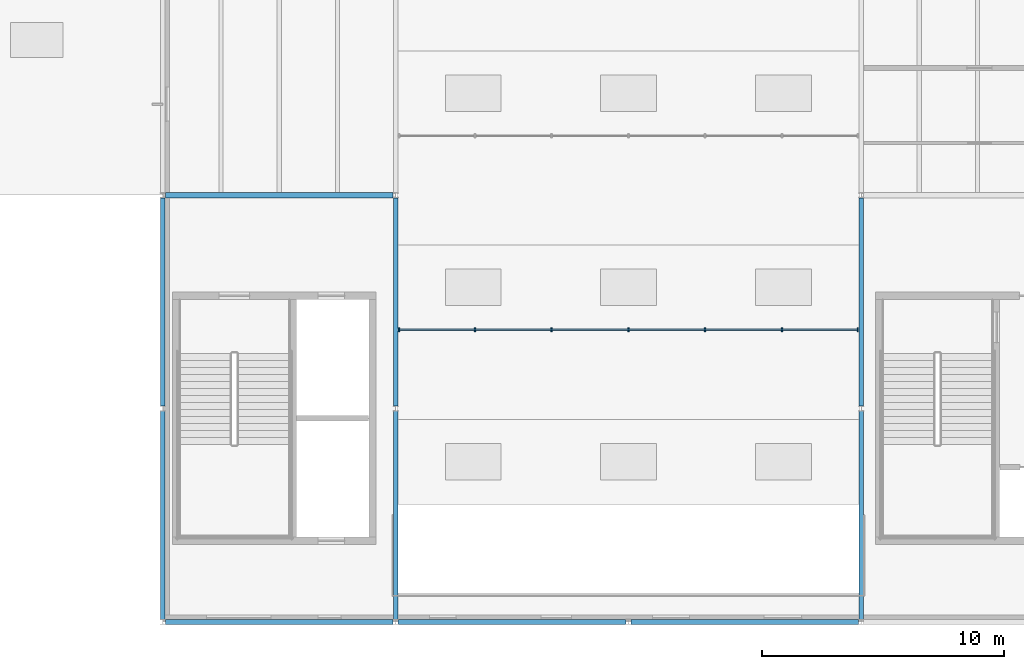
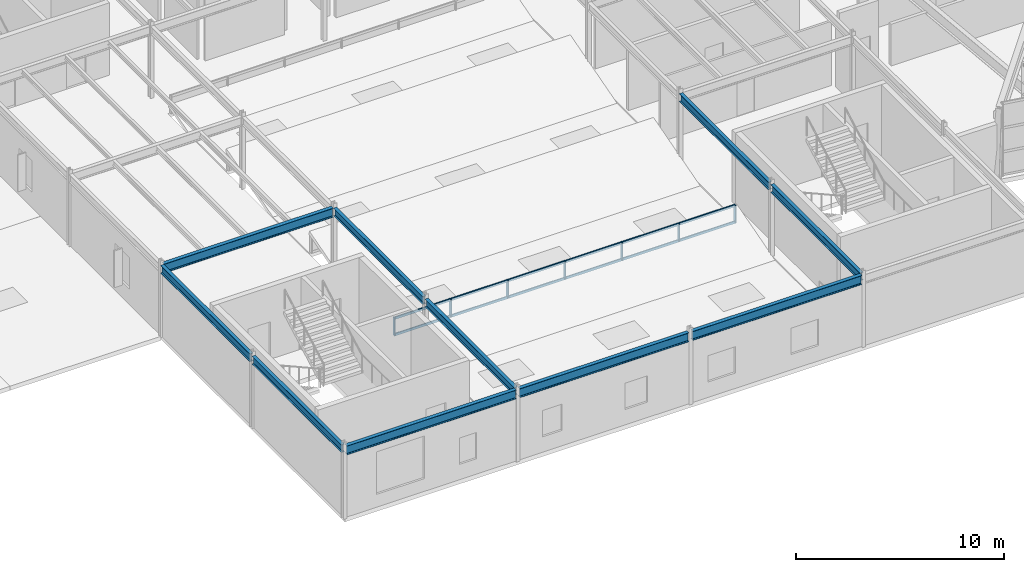
# One storey, part 10 of 50: 10 beams, 9 members, 1 element without a shape of its own.
"""IFC4 building model written with IfcOpenShell, lengths in metres."""

import ifcopenshell
import ifcopenshell.guid

model = None  # the IFC model being written
_history = None  # IfcOwnerHistory: only IFC2X3 demands one
_inside = {}  # id of a spatial element -> (the spatial element, [elements in it])
_under = {}  # id of a project, library or spatial element -> (it, [spatial elements below it])
_declared = {}  # id of a project -> (the project, [libraries it declares])
_typed = {}  # id of a type object -> (the type object, [elements of that type])
_made_of = {}  # id of a material, layer set ... -> (it, [elements and type objects made of it])


def new_model(schema):
    """Start an empty IFC model of exactly this schema.

    Asked for "IFC4X3", IfcOpenShell would pick the latest addendum, in which some entities
    have other attributes; the version numbers below select the first issue.
    IFC2X3 requires an IfcOwnerHistory on every rooted entity: one is made here for all.
    """
    global model, _history
    if schema == "IFC4X3":
        model = ifcopenshell.file(schema_version=(4, 3, 0, 0))
    else:
        model = ifcopenshell.file(schema=schema)
    _inside.clear()
    _under.clear()
    _declared.clear()
    _typed.clear()
    _made_of.clear()
    _history = None
    if model.schema == "IFC2X3":
        org = make("IfcOrganization", Name="unknown")
        user = make(
            "IfcPersonAndOrganization",
            ThePerson=make("IfcPerson", FamilyName="unknown"),
            TheOrganization=org,
        )
        app = make(
            "IfcApplication",
            ApplicationDeveloper=org,
            Version="unknown",
            ApplicationFullName="unknown",
            ApplicationIdentifier="unknown",
        )
        _history = make(
            "IfcOwnerHistory",
            OwningUser=user,
            OwningApplication=app,
            ChangeAction="ADDED",
            CreationDate=0,
        )
    return model


def make(cls, **values):
    """One entity of the class cls with the attributes given. An attribute that is None is left unset."""
    return model.create_entity(
        cls, **{name: value for name, value in values.items() if value is not None}
    )


def rooted(cls, **values):
    """An entity with a GlobalId (a new one), such as an element, a storey or a relation."""
    return make(cls, GlobalId=ifcopenshell.guid.new(), OwnerHistory=_history, **values)


def si_unit(unit_type, name, prefix=None):
    """IfcSIUnit, for example si_unit("LENGTHUNIT", "METRE", prefix="MILLI")."""
    return make("IfcSIUnit", UnitType=unit_type, Prefix=prefix, Name=name)


def assignment(units):
    """IfcUnitAssignment: the units of a project."""
    return None if units is None else make("IfcUnitAssignment", Units=units)


def point(xyz):
    """IfcCartesianPoint."""
    return None if xyz is None else make("IfcCartesianPoint", Coordinates=xyz)


def direction(xyz):
    """IfcDirection."""
    return None if xyz is None else make("IfcDirection", DirectionRatios=xyz)


def frame(location, z_axis=None, x_axis=None):
    """IfcAxis2Placement3D, a coordinate frame: its origin and axes. An axis left out is left unset."""
    return make(
        "IfcAxis2Placement3D",
        Location=point(location),
        Axis=direction(z_axis),
        RefDirection=direction(x_axis),
    )


def frame_2d(location, x_axis=None):
    """IfcAxis2Placement2D, a coordinate frame in the plane: its origin and x axis."""
    return make(
        "IfcAxis2Placement2D", Location=point(location), RefDirection=direction(x_axis)
    )


def origin():
    """The frame at (0, 0, 0) with its axes left unset."""
    return frame((0.0, 0.0, 0.0))


def origin_2d():
    """The frame at (0, 0) in the plane with its x axis left unset."""
    return frame_2d((0.0, 0.0))


def place(relative_to, where):
    """IfcLocalPlacement: puts the frame where relative to a parent placement (None: the world)."""
    return make(
        "IfcLocalPlacement", PlacementRelTo=relative_to, RelativePlacement=where
    )


def context(
    kind, dimensions, precision=None, world=None, true_north=None, identifier=None
):
    """IfcGeometricRepresentationContext, for example the 3D "Model" context."""
    return make(
        "IfcGeometricRepresentationContext",
        ContextIdentifier=identifier,
        ContextType=kind,
        CoordinateSpaceDimension=dimensions,
        Precision=precision,
        WorldCoordinateSystem=world,
        TrueNorth=true_north,
    )


def subcontext(parent, identifier, kind, view, scale=None):
    """IfcGeometricRepresentationSubContext, for example "Body" below "Model"."""
    return make(
        "IfcGeometricRepresentationSubContext",
        ContextIdentifier=identifier,
        ContextType=kind,
        ParentContext=parent,
        TargetScale=scale,
        TargetView=view,
    )


def project(units=None, contexts=None):
    """IfcProject with its units and contexts."""
    return rooted(
        "IfcProject",
        Name="project",
        RepresentationContexts=contexts,
        UnitsInContext=assignment(units),
    )


def spatial(cls, under=None, at=None, **own):
    """A site, building, storey or space (cls), placed at a placement, below another one or the project."""
    s = rooted(cls, ObjectPlacement=at, **own)
    if under is not None:
        _under.setdefault(under.id(), (under, []))[1].append(s)
    return s


def profile(cls, at=None, kind="AREA", **sizes):
    """A parametric profile (cls). Its sizes go by their IFC names, for example OverallWidth=200.0."""
    return make(cls, ProfileType=kind, Position=at, **sizes)


def rectangle(**sizes):
    """IfcRectangleProfileDef."""
    return profile("IfcRectangleProfileDef", **sizes)


def i_section(**sizes):
    """IfcIShapeProfileDef."""
    return profile("IfcIShapeProfileDef", **sizes)


def extrude(swept, where, along, depth):
    """IfcExtrudedAreaSolid: the profile swept, set in the frame where, extruded along a direction by depth."""
    return make(
        "IfcExtrudedAreaSolid",
        SweptArea=swept,
        Position=where,
        ExtrudedDirection=direction(along),
        Depth=depth,
    )


def shape(context_of_items, identifier, shape_type, items):
    """IfcShapeRepresentation: the items that make up one representation, for example the "Body"."""
    return make(
        "IfcShapeRepresentation",
        ContextOfItems=context_of_items,
        RepresentationIdentifier=identifier,
        RepresentationType=shape_type,
        Items=items,
    )


def material(Name=None, Category=None):
    """IfcMaterial."""
    return make("IfcMaterial", Name=Name, Category=Category)


def material_profile(
    of_material, cross_section, Name=None, Category=None, Priority=None
):
    """IfcMaterialProfile: a cross section and its material."""
    return make(
        "IfcMaterialProfile",
        Name=Name,
        Material=of_material,
        Profile=cross_section,
        Priority=Priority,
        Category=Category,
    )


def profile_set(profiles, Name=None, composite=None):
    """IfcMaterialProfileSet."""
    return make(
        "IfcMaterialProfileSet",
        Name=Name,
        MaterialProfiles=profiles,
        CompositeProfile=composite,
    )


def made_of(thing, what):
    """Note that an element or type object is made of a material, layer set ...; save() writes the relation."""
    if what is not None:
        _made_of.setdefault(what.id(), (what, []))[1].append(thing)
    return thing


def type_object(cls, material=None, **own):
    """A type object (cls), such as IfcWallType, which elements share."""
    return made_of(rooted(cls, **own), material)


def element(
    cls,
    number,
    at=None,
    inside=None,
    cuts=None,
    type_object=None,
    material=None,
    context=None,
    identifier="Body",
    shape_type=None,
    held_by="IfcProductDefinitionShape",
    body=None,
    shapes=None,
    **own,
):
    """One element of the class cls, such as IfcWall. Its Tag is "e" and its number.

    at: its placement. inside: the storey or other place that contains it. cuts: it is an
    opening in that element (IfcRelVoidsElement). A single representation is given by context,
    identifier, shape_type and body (its items); several are given by shapes. held_by: the class
    of the entity that holds the representations. save() writes the other relations.
    """
    e = rooted(cls, Tag="e%d" % number, ObjectPlacement=at, **own)
    if body is not None:
        shapes = [shape(context, identifier, shape_type, body)]
    if shapes is not None:
        e.Representation = make(held_by, Representations=shapes)
    if inside is not None:
        _inside.setdefault(inside.id(), (inside, []))[1].append(e)
    if cuts is not None:
        rooted(
            "IfcRelVoidsElement", RelatingBuildingElement=cuts, RelatedOpeningElement=e
        )
    if type_object is not None:
        _typed.setdefault(type_object.id(), (type_object, []))[1].append(e)
    return made_of(e, material)


def aggregate(whole, parts):
    """IfcRelAggregates: a whole, such as a stair, and the parts it consists of."""
    return rooted("IfcRelAggregates", RelatingObject=whole, RelatedObjects=parts)


def save(model, path):
    """Write the relations noted so far, then the file.

    IfcRelAggregates (storeys below a building ...), IfcRelContainedInSpatialStructure (elements
    in a storey), IfcRelDefinesByType, IfcRelAssociatesMaterial and IfcRelDeclares: one each for
    every whole, place, type object, material and project.
    """
    for whole, parts in _under.values():
        aggregate(whole, parts)
    for where, things in _inside.values():
        rooted(
            "IfcRelContainedInSpatialStructure",
            RelatedElements=things,
            RelatingStructure=where,
        )
    for kind, things in _typed.values():
        rooted("IfcRelDefinesByType", RelatedObjects=things, RelatingType=kind)
    for what, things in _made_of.values():
        rooted("IfcRelAssociatesMaterial", RelatedObjects=things, RelatingMaterial=what)
    for by, libraries in _declared.values():
        rooted("IfcRelDeclares", RelatingContext=by, RelatedDefinitions=libraries)
    model.write(path)


model = new_model("IFC4")

# Units and contexts
model_context = context("Model", 3, precision=1e-05, world=origin(), true_north=direction((0.0, 1.0)))
body_context = subcontext(model_context, "Body", "Model", "MODEL_VIEW")
ifc_project = project(units=[si_unit("LENGTHUNIT", "METRE"), si_unit("AREAUNIT", "SQUARE_METRE"), si_unit("VOLUMEUNIT", "CUBIC_METRE"), si_unit("PLANEANGLEUNIT", "RADIAN"), si_unit("MASSUNIT", "GRAM", prefix="KILO")], contexts=[model_context])

# Site, building, storey
site_placement = place(None, origin())
site = spatial("IfcSite", under=ifc_project, at=site_placement, CompositionType="ELEMENT")
building_placement = place(site_placement, origin())
building = spatial("IfcBuilding", under=site, at=building_placement, Name="Sarnbrook Museum", CompositionType="ELEMENT")
storey_placement = place(building_placement, frame((0.0, 0.0, 28.10009765625)))
storey = spatial("IfcBuildingStorey", under=building, at=storey_placement, Name="L05", CompositionType="ELEMENT", Elevation=28.10009765625)

# Beams
ifc_material_1 = material(Name="Structural Steel Grade 300PLUS (AS/NZS 3679.1, fy = 280 MPa for 17 < t <= 40 mm, 300 MPa for t <= 17 mm)", Category="steel")
ifc_material_profile_1 = material_profile(ifc_material_1, i_section(OverallWidth=0.18994140625, OverallDepth=0.45703125, WebThickness=0.009033203125, FlangeThickness=0.014404296875, FilletRadius=0.011474609375, at=origin_2d()), Name="460UB74.6")
ifc_profile_set_1 = profile_set([ifc_material_profile_1], Name="Structural Steel Grade 300PLUS (AS/NZS 3679.1, fy = 280 MPa for 17 < t <= 40 mm, 300 MPa for t <= 17 mm)")
beam_type_1 = type_object("IfcBeamType", Name="BM-UB460", PredefinedType="BEAM", material=ifc_profile_set_1)
beam_1_placement = place(storey_placement, frame((80.800048828125, 56.905029296875, 4.021484375), z_axis=(0.0, 1.0, 0.0), x_axis=(-1.0, 0.0, 0.0)))
element("IfcBeam", 1, at=beam_1_placement, inside=storey, type_object=beam_type_1, Name="Girder 9:G-H L05", PredefinedType="BEAM", context=body_context, shape_type="SweptSolid", body=[
    extrude(i_section(OverallWidth=0.18994140625, OverallDepth=0.45703125, WebThickness=0.009033203125, FlangeThickness=0.014404296875, FilletRadius=0.011474609375, at=origin_2d()), origin(), (0.0, 0.0, 1.0), 8.590087890625),
])
beam_2_placement = place(storey_placement, frame((80.800048828125, 65.705078125, 4.021484375), z_axis=(0.0, 1.0, 0.0), x_axis=(-1.0, 0.0, 0.0)))
element("IfcBeam", 2, at=beam_2_placement, inside=storey, type_object=beam_type_1, Name="Girder 9:H-J L05", PredefinedType="BEAM", context=body_context, shape_type="SweptSolid", body=[
    extrude(i_section(OverallWidth=0.18994140625, OverallDepth=0.45703125, WebThickness=0.009033203125, FlangeThickness=0.014404296875, FilletRadius=0.011474609375, at=origin_2d()), origin(), (0.0, 0.0, 1.0), 8.58984375),
])
beam_3_placement = place(storey_placement, frame((90.39990234375, 56.905029296875, 4.021484375), z_axis=(0.0, 1.0, 0.0), x_axis=(-1.0, 0.0, 0.0)))
element("IfcBeam", 3, at=beam_3_placement, inside=storey, type_object=beam_type_1, Name="Girder 10:G-H L05", PredefinedType="BEAM", context=body_context, shape_type="SweptSolid", body=[
    extrude(i_section(OverallWidth=0.18994140625, OverallDepth=0.45703125, WebThickness=0.009033203125, FlangeThickness=0.014404296875, FilletRadius=0.011474609375, at=origin_2d()), origin(), (0.0, 0.0, 1.0), 8.590087890625),
])
beam_4_placement = place(storey_placement, frame((90.39990234375, 65.705078125, 4.021484375), z_axis=(0.0, 1.0, 0.0), x_axis=(-1.0, 0.0, 0.0)))
element("IfcBeam", 4, at=beam_4_placement, inside=storey, type_object=beam_type_1, Name="Girder 10:H-J L05", PredefinedType="BEAM", context=body_context, shape_type="SweptSolid", body=[
    extrude(i_section(OverallWidth=0.18994140625, OverallDepth=0.45703125, WebThickness=0.009033203125, FlangeThickness=0.014404296875, FilletRadius=0.011474609375, at=origin_2d()), origin(), (0.0, 0.0, 1.0), 8.58984375),
])
beam_5_placement = place(storey_placement, frame((109.60009765625, 56.905029296875, 4.021484375), z_axis=(0.0, 1.0, 0.0), x_axis=(-1.0, 0.0, 0.0)))
element("IfcBeam", 5, at=beam_5_placement, inside=storey, type_object=beam_type_1, Name="Girder 12:G-H L05", PredefinedType="BEAM", context=body_context, shape_type="SweptSolid", body=[
    extrude(i_section(OverallWidth=0.18994140625, OverallDepth=0.45703125, WebThickness=0.009033203125, FlangeThickness=0.014404296875, FilletRadius=0.011474609375, at=origin_2d()), origin(), (0.0, 0.0, 1.0), 8.590087890625),
])
beam_6_placement = place(storey_placement, frame((109.60009765625, 65.705078125, 4.021484375), z_axis=(0.0, 1.0, 0.0), x_axis=(-1.0, 0.0, 0.0)))
element("IfcBeam", 6, at=beam_6_placement, inside=storey, type_object=beam_type_1, Name="Girder 12:H-J L05", PredefinedType="BEAM", context=body_context, shape_type="SweptSolid", body=[
    extrude(i_section(OverallWidth=0.18994140625, OverallDepth=0.45703125, WebThickness=0.009033203125, FlangeThickness=0.014404296875, FilletRadius=0.011474609375, at=origin_2d()), origin(), (0.0, 0.0, 1.0), 8.58984375),
])
ifc_material_profile_2 = material_profile(ifc_material_1, i_section(OverallWidth=0.208984375, OverallDepth=0.532958984375, WebThickness=0.01025390625, FlangeThickness=0.015625, FilletRadius=0.013916015625, at=origin_2d()), Name="530UB92.4")
ifc_profile_set_2 = profile_set([ifc_material_profile_2], Name="Structural Steel Grade 300PLUS (AS/NZS 3679.1, fy = 280 MPa for 17 < t <= 40 mm, 300 MPa for t <= 17 mm)")
beam_type_2 = type_object("IfcBeamType", Name="BM-UB530", PredefinedType="BEAM", material=ifc_profile_set_2)
for number, where, z_axis, x_axis, name in (
    (7, (80.902587890625, 56.800048828125, 3.9833984375), (1.0, 0.0, 0.0), (0.0, 1.0, 0.0), "Girder G:9-10 L05"),
    (8, (90.50244140625, 56.800048828125, 3.9833984375), (1.0, 0.0, 0.0), (0.0, 1.0, 0.0), "Girder G:10-11 L05"),
    (9, (100.1025390625, 56.800048828125, 3.9833984375), (1.0, 0.0, 0.0), (0.0, 1.0, 0.0), "Girder G:11-12 L05"),
    (10, (80.902587890625, 74.39990234375, 3.9833984375), (1.0, 0.0, 0.0), (0.0, 1.0, 0.0), "Girder J:9-10 L05"),
):
    element("IfcBeam", number, at=place(storey_placement, frame(where, z_axis=z_axis, x_axis=x_axis)), inside=storey, type_object=beam_type_2, Name=name, PredefinedType="BEAM", context=body_context, shape_type="SweptSolid", body=[
        extrude(i_section(OverallWidth=0.208984375, OverallDepth=0.532958984375, WebThickness=0.01025390625, FlangeThickness=0.015625, FilletRadius=0.013916015625, at=origin_2d()), origin(), (0.0, 0.0, 1.0), 9.39501953125),
    ])

# Curtain wall, members
ifc_material_2 = material(Name="Thermally Broken Anodised Aluminium 6063-T6", Category="aluminium")
curtain_wall_type = type_object("IfcCurtainWallType", Name="CurtainWall_Sawtooth", PredefinedType="NOTDEFINED", material=ifc_material_2)
curtain_wall_placement = place(storey_placement, origin())
curtain_wall = element("IfcCurtainWall", 11, at=curtain_wall_placement, inside=storey, type_object=curtain_wall_type, Name="Atrium Sawtooth North-Light Clerestory 1", PredefinedType="NOTDEFINED")
ifc_material_profile_3 = material_profile(ifc_material_2, rectangle(XDim=0.06005859375, YDim=0.159912109375, at=origin_2d()), Name="ALU MULLION 60x160")
ifc_profile_set_3 = profile_set([ifc_material_profile_3], Name="Thermally Broken Anodised Aluminium 6063-T6")
member_type_1 = type_object("IfcMemberType", Name="CW_Mullion_150x65", PredefinedType="MULLION", material=ifc_profile_set_3)
member_1_placement = place(storey_placement, frame((90.5400390625, 68.85009765625, 0.0), z_axis=(0.0, 0.0, 1.0), x_axis=(1.0, 0.0, 0.0)))
member_1 = element("IfcMember", 12, at=member_1_placement, type_object=member_type_1, Name="Atrium Sawtooth North-Light Clerestory 1 Mullion 1", PredefinedType="MULLION", context=body_context, shape_type="SweptSolid", body=[
    extrude(rectangle(XDim=0.06005859375, YDim=0.159912109375, at=origin_2d()), origin(), (0.0, 0.0, 1.0), 1.0498046875),
])
member_2_placement = place(storey_placement, frame((93.666748046875, 68.85009765625, 0.0), z_axis=(0.0, 0.0, 1.0), x_axis=(1.0, 0.0, 0.0)))
member_2 = element("IfcMember", 13, at=member_2_placement, type_object=member_type_1, Name="Atrium Sawtooth North-Light Clerestory 1 Mullion 2", PredefinedType="MULLION", context=body_context, shape_type="SweptSolid", body=[
    extrude(rectangle(XDim=0.06005859375, YDim=0.159912109375, at=origin_2d()), origin(), (0.0, 0.0, 1.0), 1.0498046875),
])
member_3_placement = place(storey_placement, frame((96.833251953125, 68.85009765625, 0.0), z_axis=(0.0, 0.0, 1.0), x_axis=(1.0, 0.0, 0.0)))
member_3 = element("IfcMember", 14, at=member_3_placement, type_object=member_type_1, Name="Atrium Sawtooth North-Light Clerestory 1 Mullion 3", PredefinedType="MULLION", context=body_context, shape_type="SweptSolid", body=[
    extrude(rectangle(XDim=0.06005859375, YDim=0.159912109375, at=origin_2d()), origin(), (0.0, 0.0, 1.0), 1.0498046875),
])
member_4_placement = place(storey_placement, frame((100.0, 68.85009765625, 0.0), z_axis=(0.0, 0.0, 1.0), x_axis=(1.0, 0.0, 0.0)))
member_4 = element("IfcMember", 15, at=member_4_placement, type_object=member_type_1, Name="Atrium Sawtooth North-Light Clerestory 1 Mullion 4", PredefinedType="MULLION", context=body_context, shape_type="SweptSolid", body=[
    extrude(rectangle(XDim=0.06005859375, YDim=0.159912109375, at=origin_2d()), origin(), (0.0, 0.0, 1.0), 1.0498046875),
])
member_5_placement = place(storey_placement, frame((103.166748046875, 68.85009765625, 0.0), z_axis=(0.0, 0.0, 1.0), x_axis=(1.0, 0.0, 0.0)))
member_5 = element("IfcMember", 16, at=member_5_placement, type_object=member_type_1, Name="Atrium Sawtooth North-Light Clerestory 1 Mullion 5", PredefinedType="MULLION", context=body_context, shape_type="SweptSolid", body=[
    extrude(rectangle(XDim=0.06005859375, YDim=0.159912109375, at=origin_2d()), origin(), (0.0, 0.0, 1.0), 1.0498046875),
])
member_6_placement = place(storey_placement, frame((106.333251953125, 68.85009765625, 0.0), z_axis=(0.0, 0.0, 1.0), x_axis=(1.0, 0.0, 0.0)))
member_6 = element("IfcMember", 17, at=member_6_placement, type_object=member_type_1, Name="Atrium Sawtooth North-Light Clerestory 1 Mullion 6", PredefinedType="MULLION", context=body_context, shape_type="SweptSolid", body=[
    extrude(rectangle(XDim=0.06005859375, YDim=0.159912109375, at=origin_2d()), origin(), (0.0, 0.0, 1.0), 1.0498046875),
])
member_7_placement = place(storey_placement, frame((109.4599609375, 68.85009765625, 0.0), z_axis=(0.0, 0.0, 1.0), x_axis=(1.0, 0.0, 0.0)))
member_7 = element("IfcMember", 18, at=member_7_placement, type_object=member_type_1, Name="Atrium Sawtooth North-Light Clerestory 1 Mullion 7", PredefinedType="MULLION", context=body_context, shape_type="SweptSolid", body=[
    extrude(rectangle(XDim=0.06005859375, YDim=0.159912109375, at=origin_2d()), origin(), (0.0, 0.0, 1.0), 1.0498046875),
])
ifc_material_profile_4 = material_profile(ifc_material_2, rectangle(XDim=0.06494140625, YDim=0.139892578125, at=origin_2d()), Name="ALU TRANSOM 65x140")
ifc_profile_set_4 = profile_set([ifc_material_profile_4], Name="Thermally Broken Anodised Aluminium 6063-T6")
member_type_2 = type_object("IfcMemberType", Name="CW_Transom_150x65", PredefinedType="USERDEFINED", material=ifc_profile_set_4)
member_8_placement = place(storey_placement, frame((90.550048828125, 68.85009765625, 0.039794921875), z_axis=(1.0, 0.0, 0.0), x_axis=(0.0, 1.0, 0.0)))
member_8 = element("IfcMember", 19, at=member_8_placement, type_object=member_type_2, Name="Atrium Sawtooth North-Light Clerestory 1 Transom 1", ObjectType="TRANSOM", PredefinedType="USERDEFINED", context=body_context, shape_type="SweptSolid", body=[
    extrude(rectangle(XDim=0.06494140625, YDim=0.139892578125, at=origin_2d()), origin(), (0.0, 0.0, 1.0), 18.89990234375),
])
member_9_placement = place(storey_placement, frame((90.550048828125, 68.85009765625, 1.010009765625), z_axis=(1.0, 0.0, 0.0), x_axis=(0.0, 1.0, 0.0)))
member_9 = element("IfcMember", 20, at=member_9_placement, type_object=member_type_2, Name="Atrium Sawtooth North-Light Clerestory 1 Transom 2", ObjectType="TRANSOM", PredefinedType="USERDEFINED", context=body_context, shape_type="SweptSolid", body=[
    extrude(rectangle(XDim=0.06494140625, YDim=0.139892578125, at=origin_2d()), origin(), (0.0, 0.0, 1.0), 18.89990234375),
])
aggregate(curtain_wall, [member_1, member_2, member_3, member_4, member_5, member_6, member_7, member_8, member_9])

save(model, "model.ifc")
